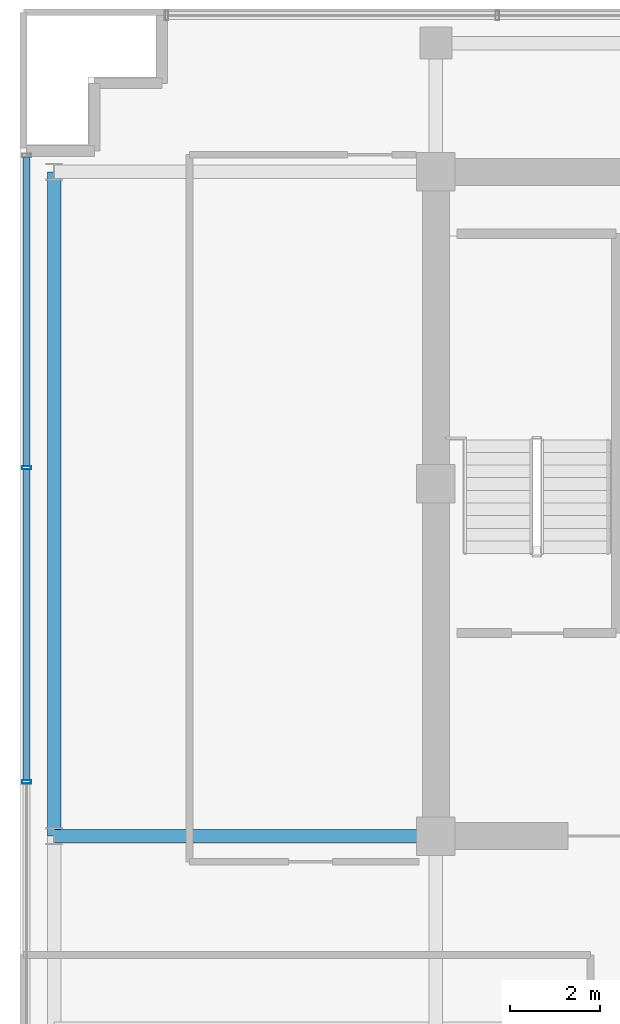
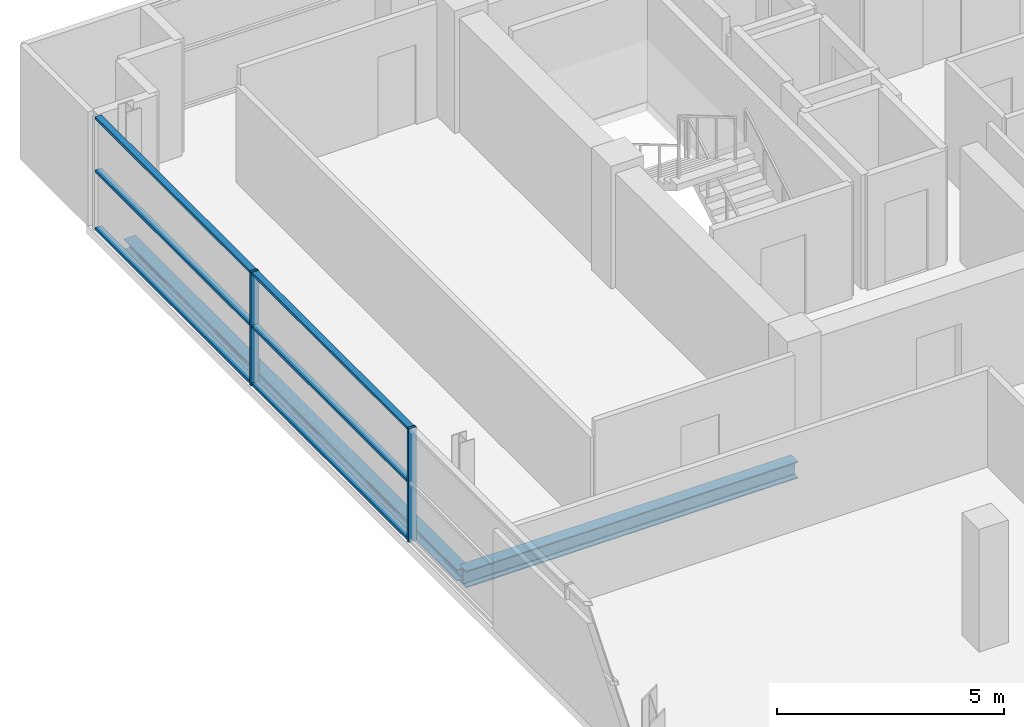
# One storey, part 9 of 22: 8 members, 2 beams, 1 element without a shape of its own.
"""IFC4 building model written with IfcOpenShell, lengths in metres."""

import ifcopenshell
import ifcopenshell.guid

model = None  # the IFC model being written
_history = None  # IfcOwnerHistory: only IFC2X3 demands one
_inside = {}  # id of a spatial element -> (the spatial element, [elements in it])
_under = {}  # id of a project, library or spatial element -> (it, [spatial elements below it])
_declared = {}  # id of a project -> (the project, [libraries it declares])
_typed = {}  # id of a type object -> (the type object, [elements of that type])
_made_of = {}  # id of a material, layer set ... -> (it, [elements and type objects made of it])


def new_model(schema):
    """Start an empty IFC model of exactly this schema.

    Asked for "IFC4X3", IfcOpenShell would pick the latest addendum, in which some entities
    have other attributes; the version numbers below select the first issue.
    IFC2X3 requires an IfcOwnerHistory on every rooted entity: one is made here for all.
    """
    global model, _history
    if schema == "IFC4X3":
        model = ifcopenshell.file(schema_version=(4, 3, 0, 0))
    else:
        model = ifcopenshell.file(schema=schema)
    _inside.clear()
    _under.clear()
    _declared.clear()
    _typed.clear()
    _made_of.clear()
    _history = None
    if model.schema == "IFC2X3":
        org = make("IfcOrganization", Name="unknown")
        user = make(
            "IfcPersonAndOrganization",
            ThePerson=make("IfcPerson", FamilyName="unknown"),
            TheOrganization=org,
        )
        app = make(
            "IfcApplication",
            ApplicationDeveloper=org,
            Version="unknown",
            ApplicationFullName="unknown",
            ApplicationIdentifier="unknown",
        )
        _history = make(
            "IfcOwnerHistory",
            OwningUser=user,
            OwningApplication=app,
            ChangeAction="ADDED",
            CreationDate=0,
        )
    return model


def make(cls, **values):
    """One entity of the class cls with the attributes given. An attribute that is None is left unset."""
    return model.create_entity(
        cls, **{name: value for name, value in values.items() if value is not None}
    )


def rooted(cls, **values):
    """An entity with a GlobalId (a new one), such as an element, a storey or a relation."""
    return make(cls, GlobalId=ifcopenshell.guid.new(), OwnerHistory=_history, **values)


def si_unit(unit_type, name, prefix=None):
    """IfcSIUnit, for example si_unit("LENGTHUNIT", "METRE", prefix="MILLI")."""
    return make("IfcSIUnit", UnitType=unit_type, Prefix=prefix, Name=name)


def assignment(units):
    """IfcUnitAssignment: the units of a project."""
    return None if units is None else make("IfcUnitAssignment", Units=units)


def point(xyz):
    """IfcCartesianPoint."""
    return None if xyz is None else make("IfcCartesianPoint", Coordinates=xyz)


def direction(xyz):
    """IfcDirection."""
    return None if xyz is None else make("IfcDirection", DirectionRatios=xyz)


def frame(location, z_axis=None, x_axis=None):
    """IfcAxis2Placement3D, a coordinate frame: its origin and axes. An axis left out is left unset."""
    return make(
        "IfcAxis2Placement3D",
        Location=point(location),
        Axis=direction(z_axis),
        RefDirection=direction(x_axis),
    )


def frame_2d(location, x_axis=None):
    """IfcAxis2Placement2D, a coordinate frame in the plane: its origin and x axis."""
    return make(
        "IfcAxis2Placement2D", Location=point(location), RefDirection=direction(x_axis)
    )


def origin():
    """The frame at (0, 0, 0) with its axes left unset."""
    return frame((0.0, 0.0, 0.0))


def origin_2d():
    """The frame at (0, 0) in the plane with its x axis left unset."""
    return frame_2d((0.0, 0.0))


def place(relative_to, where):
    """IfcLocalPlacement: puts the frame where relative to a parent placement (None: the world)."""
    return make(
        "IfcLocalPlacement", PlacementRelTo=relative_to, RelativePlacement=where
    )


def context(
    kind, dimensions, precision=None, world=None, true_north=None, identifier=None
):
    """IfcGeometricRepresentationContext, for example the 3D "Model" context."""
    return make(
        "IfcGeometricRepresentationContext",
        ContextIdentifier=identifier,
        ContextType=kind,
        CoordinateSpaceDimension=dimensions,
        Precision=precision,
        WorldCoordinateSystem=world,
        TrueNorth=true_north,
    )


def subcontext(parent, identifier, kind, view, scale=None):
    """IfcGeometricRepresentationSubContext, for example "Body" below "Model"."""
    return make(
        "IfcGeometricRepresentationSubContext",
        ContextIdentifier=identifier,
        ContextType=kind,
        ParentContext=parent,
        TargetScale=scale,
        TargetView=view,
    )


def project(units=None, contexts=None):
    """IfcProject with its units and contexts."""
    return rooted(
        "IfcProject",
        Name="project",
        RepresentationContexts=contexts,
        UnitsInContext=assignment(units),
    )


def spatial(cls, under=None, at=None, **own):
    """A site, building, storey or space (cls), placed at a placement, below another one or the project."""
    s = rooted(cls, ObjectPlacement=at, **own)
    if under is not None:
        _under.setdefault(under.id(), (under, []))[1].append(s)
    return s


def profile(cls, at=None, kind="AREA", **sizes):
    """A parametric profile (cls). Its sizes go by their IFC names, for example OverallWidth=200.0."""
    return make(cls, ProfileType=kind, Position=at, **sizes)


def hollow_rectangle(**sizes):
    """IfcRectangleHollowProfileDef."""
    return profile("IfcRectangleHollowProfileDef", **sizes)


def i_section(**sizes):
    """IfcIShapeProfileDef."""
    return profile("IfcIShapeProfileDef", **sizes)


def extrude(swept, where, along, depth):
    """IfcExtrudedAreaSolid: the profile swept, set in the frame where, extruded along a direction by depth."""
    return make(
        "IfcExtrudedAreaSolid",
        SweptArea=swept,
        Position=where,
        ExtrudedDirection=direction(along),
        Depth=depth,
    )


def shape(context_of_items, identifier, shape_type, items):
    """IfcShapeRepresentation: the items that make up one representation, for example the "Body"."""
    return make(
        "IfcShapeRepresentation",
        ContextOfItems=context_of_items,
        RepresentationIdentifier=identifier,
        RepresentationType=shape_type,
        Items=items,
    )


def source(mapping_origin, context_of_items, identifier, shape_type, items):
    """IfcRepresentationMap: a shape defined once, which mapped items show again and again."""
    return make(
        "IfcRepresentationMap",
        MappingOrigin=mapping_origin,
        MappedRepresentation=shape(context_of_items, identifier, shape_type, items),
    )


def transform(
    local_origin,
    x_axis=None,
    y_axis=None,
    z_axis=None,
    scale=None,
    scale2=None,
    scale3=None,
    uniform=True,
):
    """IfcCartesianTransformationOperator3D, or its non-uniform kind. x_axis, y_axis, z_axis: its Axis1, 2, 3."""
    if uniform:
        return make(
            "IfcCartesianTransformationOperator3D",
            Axis1=direction(x_axis),
            Axis2=direction(y_axis),
            LocalOrigin=point(local_origin),
            Scale=scale,
            Axis3=direction(z_axis),
        )
    return make(
        "IfcCartesianTransformationOperator3DnonUniform",
        Axis1=direction(x_axis),
        Axis2=direction(y_axis),
        LocalOrigin=point(local_origin),
        Scale=scale,
        Axis3=direction(z_axis),
        Scale2=scale2,
        Scale3=scale3,
    )


def mapped(mapping_source, mapping_target):
    """IfcMappedItem: shows the shape of a source again, moved by a transform."""
    return make(
        "IfcMappedItem", MappingSource=mapping_source, MappingTarget=mapping_target
    )


def material(Name=None, Category=None):
    """IfcMaterial."""
    return make("IfcMaterial", Name=Name, Category=Category)


def layer(
    of_material, thickness, ventilated=None, Name=None, Category=None, Priority=None
):
    """IfcMaterialLayer: one layer of a wall or slab, of a material (None: an air gap)."""
    return make(
        "IfcMaterialLayer",
        Material=of_material,
        LayerThickness=thickness,
        IsVentilated=ventilated,
        Name=Name,
        Category=Category,
        Priority=Priority,
    )


def layer_set(layers, Name=None):
    """IfcMaterialLayerSet."""
    return make("IfcMaterialLayerSet", MaterialLayers=layers, LayerSetName=Name)


def material_profile(
    of_material, cross_section, Name=None, Category=None, Priority=None
):
    """IfcMaterialProfile: a cross section and its material."""
    return make(
        "IfcMaterialProfile",
        Name=Name,
        Material=of_material,
        Profile=cross_section,
        Priority=Priority,
        Category=Category,
    )


def profile_set(profiles, Name=None, composite=None):
    """IfcMaterialProfileSet."""
    return make(
        "IfcMaterialProfileSet",
        Name=Name,
        MaterialProfiles=profiles,
        CompositeProfile=composite,
    )


def made_of(thing, what):
    """Note that an element or type object is made of a material, layer set ...; save() writes the relation."""
    if what is not None:
        _made_of.setdefault(what.id(), (what, []))[1].append(thing)
    return thing


def type_object(cls, material=None, **own):
    """A type object (cls), such as IfcWallType, which elements share."""
    return made_of(rooted(cls, **own), material)


def element(
    cls,
    number,
    at=None,
    inside=None,
    cuts=None,
    type_object=None,
    material=None,
    context=None,
    identifier="Body",
    shape_type=None,
    held_by="IfcProductDefinitionShape",
    body=None,
    shapes=None,
    **own,
):
    """One element of the class cls, such as IfcWall. Its Tag is "e" and its number.

    at: its placement. inside: the storey or other place that contains it. cuts: it is an
    opening in that element (IfcRelVoidsElement). A single representation is given by context,
    identifier, shape_type and body (its items); several are given by shapes. held_by: the class
    of the entity that holds the representations. save() writes the other relations.
    """
    e = rooted(cls, Tag="e%d" % number, ObjectPlacement=at, **own)
    if body is not None:
        shapes = [shape(context, identifier, shape_type, body)]
    if shapes is not None:
        e.Representation = make(held_by, Representations=shapes)
    if inside is not None:
        _inside.setdefault(inside.id(), (inside, []))[1].append(e)
    if cuts is not None:
        rooted(
            "IfcRelVoidsElement", RelatingBuildingElement=cuts, RelatedOpeningElement=e
        )
    if type_object is not None:
        _typed.setdefault(type_object.id(), (type_object, []))[1].append(e)
    return made_of(e, material)


def aggregate(whole, parts):
    """IfcRelAggregates: a whole, such as a stair, and the parts it consists of."""
    return rooted("IfcRelAggregates", RelatingObject=whole, RelatedObjects=parts)


def save(model, path):
    """Write the relations noted so far, then the file.

    IfcRelAggregates (storeys below a building ...), IfcRelContainedInSpatialStructure (elements
    in a storey), IfcRelDefinesByType, IfcRelAssociatesMaterial and IfcRelDeclares: one each for
    every whole, place, type object, material and project.
    """
    for whole, parts in _under.values():
        aggregate(whole, parts)
    for where, things in _inside.values():
        rooted(
            "IfcRelContainedInSpatialStructure",
            RelatedElements=things,
            RelatingStructure=where,
        )
    for kind, things in _typed.values():
        rooted("IfcRelDefinesByType", RelatedObjects=things, RelatingType=kind)
    for what, things in _made_of.values():
        rooted("IfcRelAssociatesMaterial", RelatedObjects=things, RelatingMaterial=what)
    for by, libraries in _declared.values():
        rooted("IfcRelDeclares", RelatingContext=by, RelatedDefinitions=libraries)
    model.write(path)


model = new_model("IFC4")

# Units and contexts
model_context = context("Model", 3, precision=1e-05, world=origin(), true_north=direction((0.0, 1.0)))
body_context = subcontext(model_context, "Body", "Model", "MODEL_VIEW")
ifc_project = project(units=[si_unit("LENGTHUNIT", "METRE"), si_unit("AREAUNIT", "SQUARE_METRE"), si_unit("VOLUMEUNIT", "CUBIC_METRE"), si_unit("PLANEANGLEUNIT", "RADIAN"), si_unit("MASSUNIT", "GRAM", prefix="KILO")], contexts=[model_context])

# Site, building, storey
site_placement = place(None, origin())
site = spatial("IfcSite", under=ifc_project, at=site_placement, CompositionType="ELEMENT")
building_placement = place(site_placement, origin())
building = spatial("IfcBuilding", under=site, at=building_placement, Name="Zarnakvel Exchange Tower", CompositionType="ELEMENT")
storey_placement = place(building_placement, frame((0.0, 0.0, 225.39990234375)))
storey = spatial("IfcBuildingStorey", under=building, at=storey_placement, Name="L63", CompositionType="ELEMENT", Elevation=225.39990234375)

# Beams
ifc_material_1 = material(Name="Steel S355", Category="steel")
ifc_material_profile_1 = material_profile(ifc_material_1, i_section(OverallWidth=0.300048828125, OverallDepth=0.449951171875, WebThickness=0.013916015625, FlangeThickness=0.02587890625, FilletRadius=0.027099609375, at=origin_2d()))
ifc_profile_set_1 = profile_set([ifc_material_profile_1], Name="Steel S355")
beam_type_1 = type_object("IfcBeamType", Name="G-07", PredefinedType="BEAM", material=ifc_profile_set_1)
beam_1_placement = place(storey_placement, frame((-22.85009765625, -1.199951171875, -0.449951171875), z_axis=(1.0, 0.0, 0.0), x_axis=(0.0, 1.0, 0.0)))
element("IfcBeam", 1, at=beam_1_placement, inside=storey, type_object=beam_type_1, Name="L63 Tower E-W Frame Beam", PredefinedType="BEAM", context=body_context, shape_type="SweptSolid", body=[
    extrude(i_section(OverallWidth=0.300048828125, OverallDepth=0.449951171875, WebThickness=0.013916015625, FlangeThickness=0.02587890625, FilletRadius=0.027099609375, at=origin_2d()), origin(), (0.0, 0.0, 1.0), 8.4501953125),
])
ifc_material_profile_2 = material_profile(ifc_material_1, i_section(OverallWidth=0.300048828125, OverallDepth=0.300048828125, WebThickness=0.010986328125, FlangeThickness=0.01904296875, FilletRadius=0.027099609375, at=origin_2d()))
ifc_profile_set_2 = profile_set([ifc_material_profile_2], Name="Steel S355")
beam_type_2 = type_object("IfcBeamType", Name="SP-03", PredefinedType="SPANDREL", material=ifc_profile_set_2)
beam_2_placement = place(storey_placement, frame((-22.85009765625, -1.199951171875, -0.375), z_axis=(0.0, 1.0, 0.0), x_axis=(-1.0, 0.0, 0.0)))
element("IfcBeam", 2, at=beam_2_placement, inside=storey, type_object=beam_type_2, Name="L63 Tower N-S Frame Beam", PredefinedType="SPANDREL", context=body_context, shape_type="SweptSolid", body=[
    extrude(i_section(OverallWidth=0.300048828125, OverallDepth=0.300048828125, WebThickness=0.010986328125, FlangeThickness=0.01904296875, FilletRadius=0.027099609375, at=origin_2d()), origin(), (0.0, 0.0, 1.0), 14.699951171875),
])

# Curtain wall, members
ifc_material_2 = material(Name="Architectural Bronze Anodised Aluminium", Category="aluminium")
ifc_layer = layer(ifc_material_2, 0.199951171875)
ifc_layer_set = layer_set([ifc_layer], Name="Architectural Bronze Anodised Aluminium")
curtain_wall_type = type_object("IfcCurtainWallType", Name="CW-04", PredefinedType="NOTDEFINED", material=ifc_layer_set)
curtain_wall_placement = place(storey_placement, origin())
curtain_wall = element("IfcCurtainWall", 3, at=curtain_wall_placement, inside=storey, type_object=curtain_wall_type, Name="L63 Curtain Wall CW-L63-W1 (CW-04)", PredefinedType="NOTDEFINED")
ifc_material_profile_3 = material_profile(ifc_material_2, hollow_rectangle(XDim=0.199951171875, YDim=0.074951171875, WallThickness=0.0048828125, at=origin_2d()))
ifc_profile_set_3 = profile_set([ifc_material_profile_3], Name="Architectural Bronze Anodised Aluminium")
member_type_1 = type_object("IfcMemberType", Name="CWM-04", PredefinedType="MULLION", material=ifc_profile_set_3)
shared_shape_1 = source(origin(), body_context, "Body", "SweptSolid", [
    extrude(hollow_rectangle(XDim=0.199951171875, YDim=0.074951171875, WallThickness=0.0048828125, at=origin_2d()), origin(), (0.0, 0.0, 1.0), 3.05517578125),
])
member_1_placement = place(storey_placement, frame((-23.4599609375, 0.0, 0.0), z_axis=(0.0, 0.0, 1.0), x_axis=(-1.0, 0.0, 0.0)))
member_1 = element("IfcMember", 4, at=member_1_placement, type_object=member_type_1, Name="CW-04 mullion 3", PredefinedType="MULLION", context=body_context, shape_type="MappedRepresentation", body=[
    mapped(shared_shape_1, transform((0.0, 0.0, 0.0), x_axis=(1.0, 0.0, 0.0), y_axis=(0.0, 1.0, 0.0), z_axis=(0.0, 0.0, 1.0), scale=1.0)),
])
member_2_placement = place(storey_placement, frame((-23.4599609375, 6.949951171875, 0.0), z_axis=(0.0, 0.0, 1.0), x_axis=(-1.0, 0.0, 0.0)))
member_2 = element("IfcMember", 5, at=member_2_placement, type_object=member_type_1, Name="CW-04 mullion 4", PredefinedType="MULLION", context=body_context, shape_type="MappedRepresentation", body=[
    mapped(shared_shape_1, transform((0.0, 0.0, 0.0), x_axis=(1.0, 0.0, 0.0), y_axis=(0.0, 1.0, 0.0), z_axis=(0.0, 0.0, 1.0), scale=1.0)),
])
ifc_material_profile_4 = material_profile(ifc_material_2, hollow_rectangle(XDim=0.159912109375, YDim=0.074951171875, WallThickness=0.00390625, at=origin_2d()))
ifc_profile_set_4 = profile_set([ifc_material_profile_4], Name="Architectural Bronze Anodised Aluminium")
member_type_2 = type_object("IfcMemberType", Name="CWT-04", PredefinedType="USERDEFINED", material=ifc_profile_set_4)
shared_shape_2 = source(origin(), body_context, "Body", "SweptSolid", [
    extrude(hollow_rectangle(XDim=0.159912109375, YDim=0.074951171875, WallThickness=0.00390625, at=origin_2d()), origin(), (0.0, 0.0, 1.0), 6.83740234375),
])
member_3_placement = place(storey_placement, frame((-23.4599609375, 6.987548828125, 0.03759765625), z_axis=(0.0, 1.0, 0.0), x_axis=(-1.0, 0.0, 0.0)))
member_3 = element("IfcMember", 6, at=member_3_placement, type_object=member_type_2, Name="CW-04 transom 4.1", ObjectType="TRANSOM", PredefinedType="USERDEFINED", context=body_context, shape_type="MappedRepresentation", body=[
    mapped(shared_shape_2, transform((0.0, 0.0, 0.0), x_axis=(1.0, 0.0, 0.0), y_axis=(0.0, 1.0, 0.0), z_axis=(0.0, 0.0, 1.0), scale=1.0)),
])
member_4_placement = place(storey_placement, frame((-23.4599609375, 6.987548828125, 1.588623046875), z_axis=(0.0, 1.0, 0.0), x_axis=(-1.0, 0.0, 0.0)))
member_4 = element("IfcMember", 7, at=member_4_placement, type_object=member_type_2, Name="CW-04 transom 4.2", ObjectType="TRANSOM", PredefinedType="USERDEFINED", context=body_context, shape_type="MappedRepresentation", body=[
    mapped(shared_shape_2, transform((0.0, 0.0, 0.0), x_axis=(1.0, 0.0, 0.0), y_axis=(0.0, 1.0, 0.0), z_axis=(0.0, 0.0, 1.0), scale=1.0)),
])
member_5_placement = place(storey_placement, frame((-23.4599609375, 6.987548828125, 3.017578125), z_axis=(0.0, 1.0, 0.0), x_axis=(-1.0, 0.0, 0.0)))
member_5 = element("IfcMember", 8, at=member_5_placement, type_object=member_type_2, Name="CW-04 transom 4.3", ObjectType="TRANSOM", PredefinedType="USERDEFINED", context=body_context, shape_type="MappedRepresentation", body=[
    mapped(shared_shape_2, transform((0.0, 0.0, 0.0), x_axis=(1.0, 0.0, 0.0), y_axis=(0.0, 1.0, 0.0), z_axis=(0.0, 0.0, 1.0), scale=1.0)),
])
shared_shape_3 = source(origin(), body_context, "Body", "SweptSolid", [
    extrude(hollow_rectangle(XDim=0.159912109375, YDim=0.074951171875, WallThickness=0.00390625, at=origin_2d()), origin(), (0.0, 0.0, 1.0), 6.875),
])
member_6_placement = place(storey_placement, frame((-23.4599609375, 0.03759765625, 0.03759765625), z_axis=(0.0, 1.0, 0.0), x_axis=(-1.0, 0.0, 0.0)))
member_6 = element("IfcMember", 9, at=member_6_placement, type_object=member_type_2, Name="CW-04 transom 3.1", ObjectType="TRANSOM", PredefinedType="USERDEFINED", context=body_context, shape_type="MappedRepresentation", body=[
    mapped(shared_shape_3, transform((0.0, 0.0, 0.0), x_axis=(1.0, 0.0, 0.0), y_axis=(0.0, 1.0, 0.0), z_axis=(0.0, 0.0, 1.0), scale=1.0)),
])
member_7_placement = place(storey_placement, frame((-23.4599609375, 0.03759765625, 1.588623046875), z_axis=(0.0, 1.0, 0.0), x_axis=(-1.0, 0.0, 0.0)))
member_7 = element("IfcMember", 10, at=member_7_placement, type_object=member_type_2, Name="CW-04 transom 3.2", ObjectType="TRANSOM", PredefinedType="USERDEFINED", context=body_context, shape_type="MappedRepresentation", body=[
    mapped(shared_shape_3, transform((0.0, 0.0, 0.0), x_axis=(1.0, 0.0, 0.0), y_axis=(0.0, 1.0, 0.0), z_axis=(0.0, 0.0, 1.0), scale=1.0)),
])
member_8_placement = place(storey_placement, frame((-23.4599609375, 0.03759765625, 3.017578125), z_axis=(0.0, 1.0, 0.0), x_axis=(-1.0, 0.0, 0.0)))
member_8 = element("IfcMember", 11, at=member_8_placement, type_object=member_type_2, Name="CW-04 transom 3.3", ObjectType="TRANSOM", PredefinedType="USERDEFINED", context=body_context, shape_type="MappedRepresentation", body=[
    mapped(shared_shape_3, transform((0.0, 0.0, 0.0), x_axis=(1.0, 0.0, 0.0), y_axis=(0.0, 1.0, 0.0), z_axis=(0.0, 0.0, 1.0), scale=1.0)),
])
aggregate(curtain_wall, [member_1, member_2, member_6, member_7, member_8, member_3, member_4, member_5])

save(model, "model.ifc")
